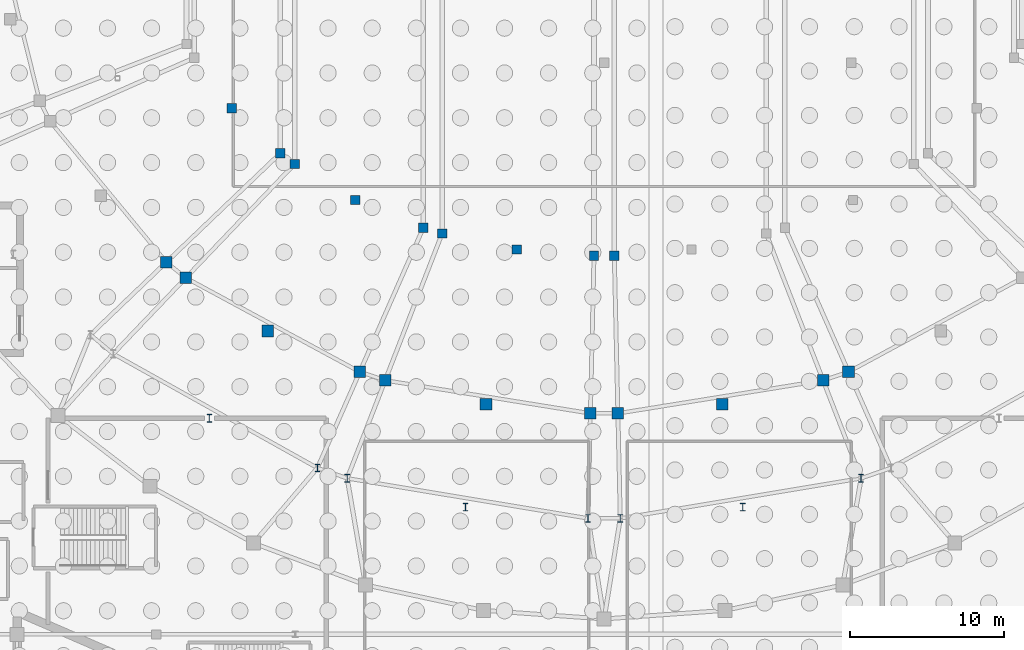
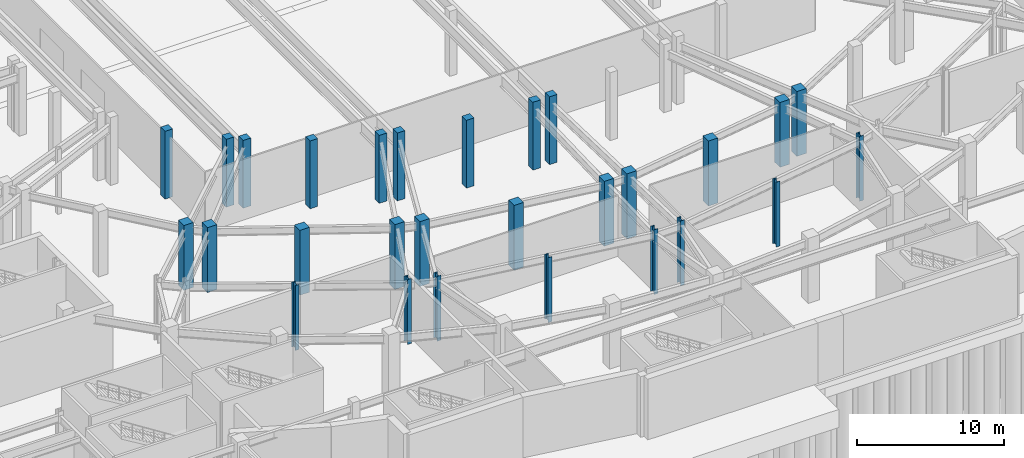
# One storey, part 15 of 56: 28 columns.
"""IFC4 building model written with IfcOpenShell, lengths in metres."""

from ifc_helpers import new_model, si_unit, direction, frame, origin, origin_2d, place, context, subcontext, project, spatial, rectangle, i_section, extrude, material, material_profile, profile_set, type_object, element, save


model = new_model("IFC4")

# Units and contexts
model_context = context("Model", 3, precision=1e-05, world=origin(), true_north=direction((0.0, 1.0)))
body_context = subcontext(model_context, "Body", "Model", "MODEL_VIEW")
ifc_project = project(units=[si_unit("LENGTHUNIT", "METRE"), si_unit("AREAUNIT", "SQUARE_METRE"), si_unit("VOLUMEUNIT", "CUBIC_METRE"), si_unit("PLANEANGLEUNIT", "RADIAN"), si_unit("MASSUNIT", "GRAM", prefix="KILO")], contexts=[model_context])

# Site, building, storey
site_placement = place(None, origin())
site = spatial("IfcSite", under=ifc_project, at=site_placement, CompositionType="ELEMENT")
building_placement = place(site_placement, origin())
building = spatial("IfcBuilding", under=site, at=building_placement, Name="Glasvene Arena", CompositionType="ELEMENT")
storey_placement = place(building_placement, frame((0.0, 0.0, -5.39990234375)))
storey = spatial("IfcBuildingStorey", under=building, at=storey_placement, Name="B1", CompositionType="ELEMENT", Elevation=-5.39990234375)

# Columns
ifc_material_1 = material(Name="Concrete C40/50", Category="concrete")
ifc_material_profile_1 = material_profile(ifc_material_1, rectangle(XDim=0.60009765625, YDim=0.60009765625, at=origin_2d()), Name="RC 600x600")
ifc_profile_set_1 = profile_set([ifc_material_profile_1], Name="Concrete C40/50")
column_type_1 = type_object("IfcColumnType", Name="COL-IN-RC600", PredefinedType="COLUMN", material=ifc_profile_set_1)
for number, where, z_axis, x_axis, name in (
    (1, (71.033935546875, 58.14599609375, 0.0), (0.0, 0.0, 1.0), (1.0, 0.0, 0.0), "Inner pitch raker column B1 10-2"),
    (2, (71.96435546875, 57.456298828125, 0.0), (0.0, 0.0, 1.0), (1.0, 0.0, 0.0), "Inner pitch raker column B1 11-1"),
    (3, (80.297119140625, 53.328369140625, 0.0), (0.0, 0.0, 1.0), (1.0, 0.0, 0.0), "Inner pitch raker column B1 11-2"),
    (4, (81.512939453125, 52.955078125, 0.0), (0.0, 0.0, 1.0), (1.0, 0.0, 0.0), "Inner pitch raker column B1 12-1"),
    (5, (91.342041015625, 51.505615234375, 0.0), (0.0, 0.0, 1.0), (1.0, 0.0, 0.0), "Inner pitch raker column B1 12-2"),
    (6, (92.657958984375, 51.505615234375, 0.0), (0.0, 0.0, 1.0), (1.0, 0.0, 0.0), "Inner pitch raker column B1 13-1"),
    (7, (67.887451171875, 61.05517578125, 0.0), (0.0, 0.0, 1.0), (1.0, 0.0, 0.0), "Mid-sector pitch raker column 10"),
    (8, (75.888427734375, 55.123291015625, 0.0), (0.0, 0.0, 1.0), (1.0, 0.0, 0.0), "Mid-sector pitch raker column 11"),
    (9, (86.34228515625, 51.9130859375, 0.0), (0.0, 0.0, 1.0), (1.0, 0.0, 0.0), "Mid-sector pitch raker column 12"),
):
    element("IfcColumn", number, at=place(storey_placement, frame(where, z_axis=z_axis, x_axis=x_axis)), inside=storey, type_object=column_type_1, Name=name, PredefinedType="COLUMN", context=body_context, shape_type="SweptSolid", body=[
        extrude(rectangle(XDim=0.60009765625, YDim=0.60009765625, at=origin_2d()), origin(), (0.0, 0.0, 1.0), 5.64990234375),
    ])
ifc_material_profile_2 = material_profile(ifc_material_1, rectangle(XDim=0.75, YDim=0.75, at=origin_2d()), Name="RC 750x750")
ifc_profile_set_2 = profile_set([ifc_material_profile_2], Name="Concrete C40/50")
column_type_2 = type_object("IfcColumnType", Name="COL-MID-RC750", PredefinedType="COLUMN", material=ifc_profile_set_2)
for number, where, z_axis, x_axis, name in (
    (10, (63.65966796875, 51.09912109375, 0.0), (0.0, 0.0, 1.0), (1.0, 0.0, 0.0), "Mid-bowl fulcrum column B1 10-2"),
    (11, (64.91748046875, 50.081787109375, 0.0), (0.0, 0.0, 1.0), (1.0, 0.0, 0.0), "Mid-bowl fulcrum column B1 11-1"),
    (12, (76.180908203125, 43.995849609375, 0.0), (0.0, 0.0, 1.0), (1.0, 0.0, 0.0), "Mid-bowl fulcrum column B1 11-2"),
    (13, (77.82421875, 43.4453125, 0.0), (0.0, 0.0, 1.0), (1.0, 0.0, 0.0), "Mid-bowl fulcrum column B1 12-1"),
    (14, (91.110595703125, 41.30810546875, 0.0), (0.0, 0.0, 1.0), (1.0, 0.0, 0.0), "Mid-bowl fulcrum column B1 12-2"),
    (15, (92.889404296875, 41.30810546875, 0.0), (0.0, 0.0, 1.0), (1.0, 0.0, 0.0), "Mid-bowl fulcrum column B1 13-1"),
    (16, (106.17578125, 43.4453125, 0.0), (0.0, 0.0, 1.0), (1.0, 0.0, 0.0), "Mid-bowl fulcrum column B1 13-2"),
    (17, (107.819091796875, 43.995849609375, 0.0), (0.0, 0.0, 1.0), (1.0, 0.0, 0.0), "Mid-bowl fulcrum column B1 14-1"),
    (18, (70.2216796875, 46.642333984375, 0.0), (0.0, 0.0, 1.0), (1.0, 0.0, 0.0), "Mid-sector fulcrum column B1 11"),
    (19, (84.3525390625, 41.9091796875, 0.0), (0.0, 0.0, 1.0), (1.0, 0.0, 0.0), "Mid-sector fulcrum column B1 12"),
    (20, (99.6474609375, 41.9091796875, 0.0), (0.0, 0.0, 1.0), (1.0, 0.0, 0.0), "Mid-sector fulcrum column B1 13"),
):
    element("IfcColumn", number, at=place(storey_placement, frame(where, z_axis=z_axis, x_axis=x_axis)), inside=storey, type_object=column_type_2, Name=name, PredefinedType="COLUMN", context=body_context, shape_type="SweptSolid", body=[
        extrude(rectangle(XDim=0.75, YDim=0.75, at=origin_2d()), origin(), (0.0, 0.0, 1.0), 5.39990234375),
    ])
ifc_material_2 = material(Name="Steel S355J2", Category="steel")
ifc_material_profile_3 = material_profile(ifc_material_2, i_section(OverallWidth=0.300048828125, OverallDepth=0.5, WebThickness=0.014404296875, FlangeThickness=0.028076171875, FilletRadius=0.027099609375, at=origin_2d()), Name="HEB 500")
ifc_profile_set_3 = profile_set([ifc_material_profile_3], Name="Steel S355J2")
column_type_3 = type_object("IfcColumnType", Name="COL-W-HEB500", PredefinedType="COLUMN", material=ifc_profile_set_3)
for number, where, z_axis, x_axis, name in (
    (21, (73.43701171875, 37.774169921875, 0.0), (0.0, 0.0, 1.0), (1.0, 0.0, 0.0), "Upper raker rear column B1 11-2"),
    (22, (75.365234375, 37.10546875, 0.0), (0.0, 0.0, 1.0), (1.0, 0.0, 0.0), "Upper raker rear column B1 12-1"),
    (23, (90.956298828125, 34.510009765625, 0.0), (0.0, 0.0, 1.0), (1.0, 0.0, 0.0), "Upper raker rear column B1 12-2"),
    (24, (93.043701171875, 34.510009765625, 0.0), (0.0, 0.0, 1.0), (1.0, 0.0, 0.0), "Upper raker rear column B1 13-1"),
    (25, (108.634765625, 37.10546875, 0.0), (0.0, 0.0, 1.0), (1.0, 0.0, 0.0), "Upper raker rear column B1 13-2"),
    (26, (66.44384765625, 40.98828125, 0.0), (0.0, 0.0, 1.0), (1.0, 0.0, 0.0), "Mid-sector rear raker column B1 11"),
    (27, (83.02587890625, 35.23974609375, 0.0), (0.0, 0.0, 1.0), (1.0, 0.0, 0.0), "Mid-sector rear raker column B1 12"),
    (28, (100.97412109375, 35.23974609375, 0.0), (0.0, 0.0, 1.0), (1.0, 0.0, 0.0), "Mid-sector rear raker column B1 13"),
):
    element("IfcColumn", number, at=place(storey_placement, frame(where, z_axis=z_axis, x_axis=x_axis)), inside=storey, type_object=column_type_3, Name=name, PredefinedType="COLUMN", context=body_context, shape_type="SweptSolid", body=[
        extrude(i_section(OverallWidth=0.300048828125, OverallDepth=0.5, WebThickness=0.014404296875, FlangeThickness=0.028076171875, FilletRadius=0.027099609375, at=origin_2d()), origin(), (0.0, 0.0, 1.0), 5.39990234375),
    ])

save(model, "model.ifc")
